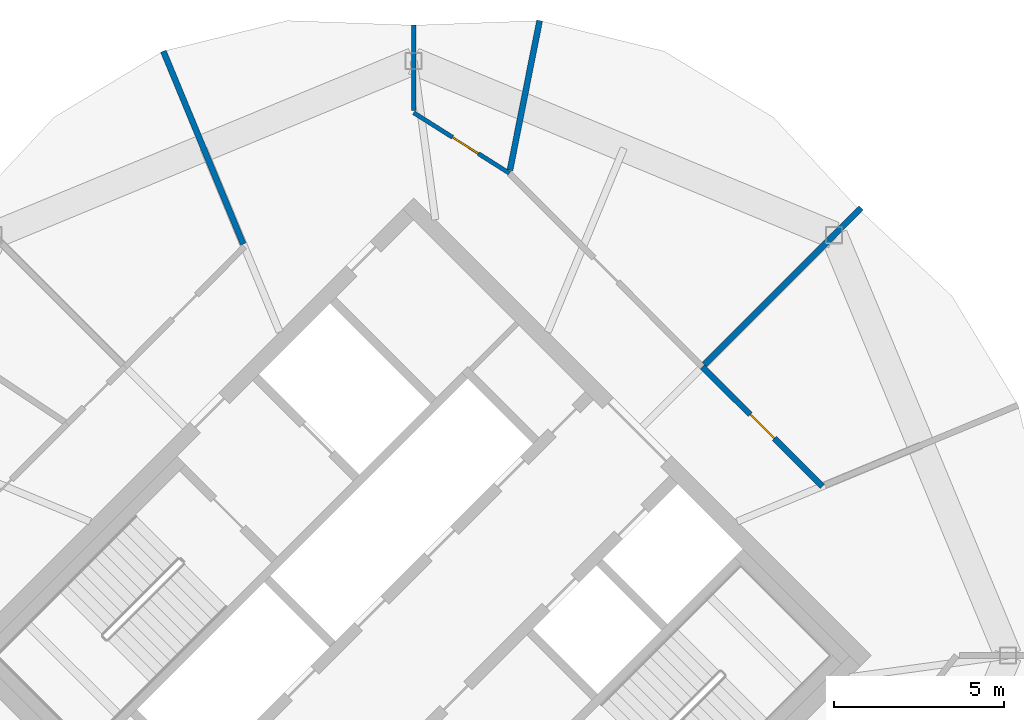
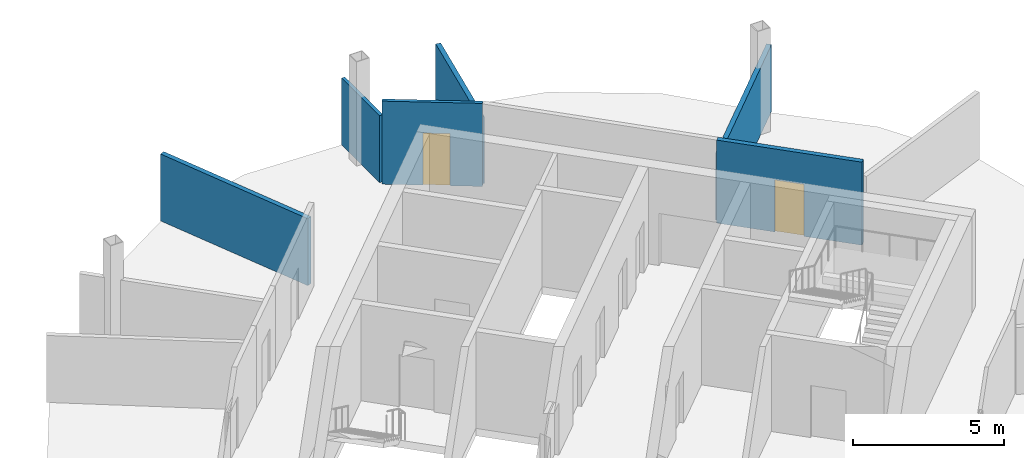
# One storey, part 9 of 11: 6 walls, 2 doors, 2 openings.
"""IFC4 building model written with IfcOpenShell, lengths in metres."""

from ifc_helpers import new_model, si_unit, direction, frame, frame_2d, origin, place, context, subcontext, project, spatial, rectangle, extrude, material, layer, layer_set, type_object, element, fill, save


model = new_model("IFC4")

# Units and contexts
model_context = context("Model", 3, precision=1e-05, world=origin(), true_north=direction((0.0, 1.0)))
body_context = subcontext(model_context, "Body", "Model", "MODEL_VIEW")
ifc_project = project(units=[si_unit("LENGTHUNIT", "METRE"), si_unit("AREAUNIT", "SQUARE_METRE"), si_unit("VOLUMEUNIT", "CUBIC_METRE"), si_unit("PLANEANGLEUNIT", "RADIAN"), si_unit("MASSUNIT", "GRAM", prefix="KILO")], contexts=[model_context])

# Site, building, storey
site_placement = place(None, origin())
site = spatial("IfcSite", under=ifc_project, at=site_placement, CompositionType="ELEMENT")
building_placement = place(site_placement, origin())
building = spatial("IfcBuilding", under=site, at=building_placement, Name="Ogive Gate Towers", CompositionType="ELEMENT")
storey_placement = place(building_placement, frame((0.0, 0.0, 281.39990234375)))
storey = spatial("IfcBuildingStorey", under=building, at=storey_placement, Name="L66", CompositionType="ELEMENT", Elevation=281.39990234375)

# Walls
ifc_material_1 = material(Name="Gypsum board acoustic partition")
ifc_layer_1 = layer(ifc_material_1, 0.175048828125)
ifc_layer_set_1 = layer_set([ifc_layer_1], Name="Acoustic partition 175")
wall_type_1 = type_object("IfcWallType", Name="Acoustic partition 175", PredefinedType="PARTITIONING", material=ifc_layer_set_1)
wall_1_placement = place(storey_placement, frame((49.1455078125, 13.1455078125, 0.0), z_axis=(0.0, 0.0, 1.0), x_axis=(-0.707106781187, -0.707106781187, 0.0)))
element("IfcWall", 1, at=wall_1_placement, inside=storey, type_object=wall_type_1, Name="Partition T2-L66-003", PredefinedType="PARTITIONING", context=body_context, shape_type="SweptSolid", body=[
    extrude(rectangle(XDim=6.51318359375, YDim=0.175048828125, at=frame_2d((3.256591796875, 0.0))), origin(), (0.0, 0.0, 1.0), 2.7001953125),
])
wall_2_placement = place(storey_placement, frame((39.69921875, 18.64599609375, 0.0), z_axis=(0.0, 0.0, 1.0), x_axis=(-0.194596790988, -0.980883320756, 0.0)))
element("IfcWall", 2, at=wall_2_placement, inside=storey, type_object=wall_type_1, Name="Partition T2-L66-004", PredefinedType="PARTITIONING", context=body_context, shape_type="SweptSolid", body=[
    extrude(rectangle(XDim=4.4814453125, YDim=0.175048828125, at=frame_2d((2.24072265625, 0.0))), origin(), (0.0, 0.0, 1.0), 2.7001953125),
])
wall_3_placement = place(storey_placement, frame((28.648681640625, 17.747802734375, 0.0), z_axis=(0.0, 0.0, 1.0), x_axis=(0.382683524544, -0.923879494329, 0.0)))
element("IfcWall", 3, at=wall_3_placement, inside=storey, type_object=wall_type_1, Name="Partition T2-L66-006", PredefinedType="PARTITIONING", context=body_context, shape_type="SweptSolid", body=[
    extrude(rectangle(XDim=6.131591796875, YDim=0.175048828125, at=frame_2d((3.06591796875, 0.0))), origin(), (0.0, 0.0, 1.0), 2.7001953125),
])

# Wall, opening, door
wall_4_placement = place(storey_placement, frame((48.002197265625, 4.971435546875, 0.0), z_axis=(0.0, 0.0, 1.0), x_axis=(-0.708823468851, 0.705385915656, 0.0)))
wall_4 = element("IfcWall", 4, at=wall_4_placement, inside=storey, type_object=wall_type_1, Name="Partition T2-L66-021", PredefinedType="PARTITIONING", context=body_context, shape_type="SweptSolid", body=[
    extrude(rectangle(XDim=4.971435546875, YDim=0.175048828125, at=frame_2d((2.48583984375, 0.0))), origin(), (0.0, 0.0, 1.0), 3.35009765625),
])
opening_1_placement = place(wall_4_placement, frame((1.986083984375, 0.0, 0.0)))
opening_1 = element("IfcOpeningElement", 5, at=opening_1_placement, cuts=wall_4, Name="Opening T2-L66-D06", PredefinedType="OPENING", context=body_context, shape_type="SweptSolid", body=[
    extrude(rectangle(XDim=1.0, YDim=2.10009765625, at=frame_2d((0.5, 1.050048828125))), frame((0.0, 0.09765625, 0.0), z_axis=(0.0, -1.0, 0.0), x_axis=(1.0, 0.0, 0.0)), (0.0, 0.0, 1.0), 0.195068359375),
])
ifc_material_2 = material(Name="Timber door", Category="wood")
door_type_1 = type_object("IfcDoorType", Name="Door 1000", OperationType="NOTDEFINED", PredefinedType="DOOR", material=ifc_material_2)
door_1_placement = place(opening_1_placement, origin())
door_1 = element("IfcDoor", 6, at=door_1_placement, inside=storey, type_object=door_type_1, Name="Door T2-L66-D06", OperationType="SINGLE_SWING_LEFT", OverallHeight=2.10009765625, OverallWidth=1.0, PredefinedType="DOOR", context=body_context, shape_type="SweptSolid", body=[
    extrude(rectangle(XDim=1.0, YDim=2.10009765625, at=frame_2d((0.5, 1.050048828125))), frame((0.0, 0.02490234375, 0.0), z_axis=(0.0, -1.0, 0.0), x_axis=(1.0, 0.0, 0.0)), (0.0, 0.0, 1.0), 0.050048828125),
])
fill(opening_1, door_1)

# Wall
ifc_material_3 = material(Name="Gypsum board partition")
ifc_layer_2 = layer(ifc_material_3, 0.125)
ifc_layer_set_2 = layer_set([ifc_layer_2], Name="Partition 125")
wall_type_2 = type_object("IfcWallType", Name="Partition 125", PredefinedType="PARTITIONING", material=ifc_layer_set_2)
wall_5_placement = place(storey_placement, frame((36.0, 18.509033203125, 0.0), z_axis=(0.0, 0.0, 1.0), x_axis=(0.0, -1.0, 0.0)))
element("IfcWall", 7, at=wall_5_placement, inside=storey, type_object=wall_type_2, Name="Partition T2-L66-005", PredefinedType="PARTITIONING", context=body_context, shape_type="SweptSolid", body=[
    extrude(rectangle(XDim=2.50634765625, YDim=0.125, at=frame_2d((1.253173828125, 0.0))), origin(), (0.0, 0.0, 1.0), 2.7001953125),
])

# Wall, opening, door
wall_6_placement = place(storey_placement, frame((38.810302734375, 14.16455078125, 0.0), z_axis=(0.0, 0.0, 1.0), x_axis=(-0.845392905536, 0.534144957169, 0.0)))
wall_6 = element("IfcWall", 8, at=wall_6_placement, inside=storey, type_object=wall_type_2, Name="Partition T2-L66-023", PredefinedType="PARTITIONING", context=body_context, shape_type="SweptSolid", body=[
    extrude(rectangle(XDim=3.32421875, YDim=0.125, at=frame_2d((1.662109375, 0.0))), origin(), (0.0, 0.0, 1.0), 3.35009765625),
])
opening_2_placement = place(wall_6_placement, frame((1.074951171875, 0.0, 0.0)))
opening_2 = element("IfcOpeningElement", 9, at=opening_2_placement, cuts=wall_6, Name="Opening T2-L66-D08", PredefinedType="OPENING", context=body_context, shape_type="SweptSolid", body=[
    extrude(rectangle(XDim=0.89990234375, YDim=2.10009765625, at=frame_2d((0.449951171875, 1.050048828125))), frame((0.0, 0.072509765625, 0.0), z_axis=(0.0, -1.0, 0.0), x_axis=(1.0, 0.0, 0.0)), (0.0, 0.0, 1.0), 0.14501953125),
])
door_type_2 = type_object("IfcDoorType", Name="Door 900", OperationType="NOTDEFINED", PredefinedType="DOOR", material=ifc_material_2)
door_2_placement = place(opening_2_placement, origin())
door_2 = element("IfcDoor", 10, at=door_2_placement, inside=storey, type_object=door_type_2, Name="Door T2-L66-D08", OperationType="SINGLE_SWING_RIGHT", OverallHeight=2.10009765625, OverallWidth=0.89990234375, PredefinedType="DOOR", context=body_context, shape_type="SweptSolid", body=[
    extrude(rectangle(XDim=0.89990234375, YDim=2.10009765625, at=frame_2d((0.449951171875, 1.050048828125))), frame((0.0, 0.02490234375, 0.0), z_axis=(0.0, -1.0, 0.0), x_axis=(1.0, 0.0, 0.0)), (0.0, 0.0, 1.0), 0.050048828125),
])
fill(opening_2, door_2)

save(model, "model.ifc")
